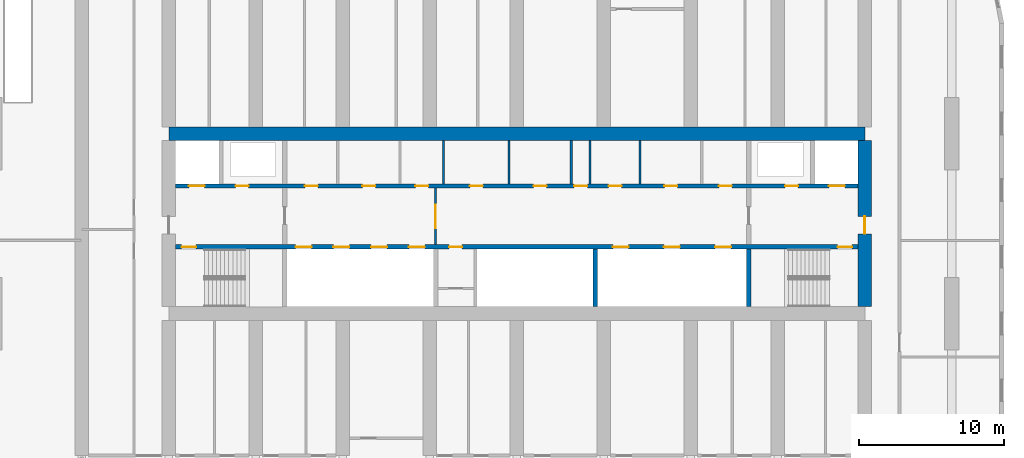
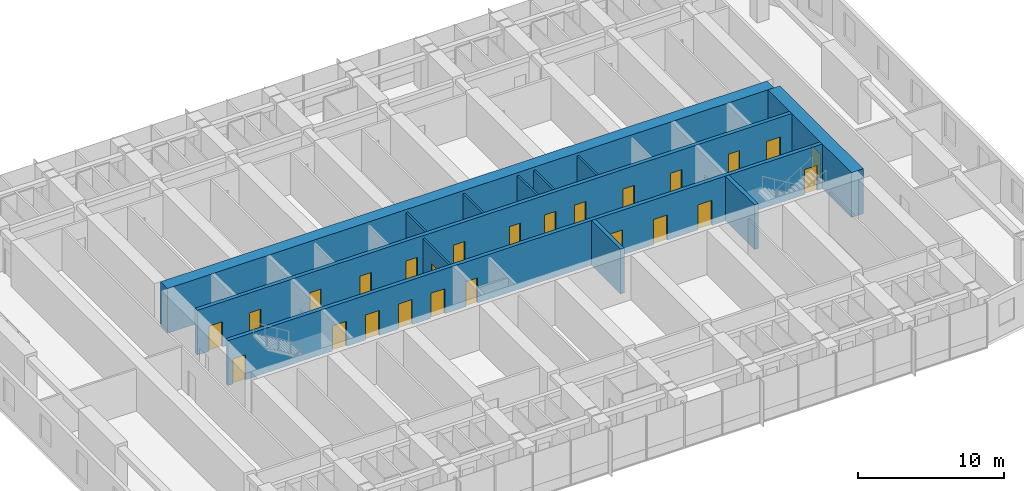
# One storey, part 12 of 22: 25 doors, 12 walls, 25 openings.
"""IFC4 building model written with IfcOpenShell, lengths in metres."""

from ifc_helpers import new_model, si_unit, direction, frame, frame_2d, origin, place, context, subcontext, project, spatial, rectangle, extrude, material, layer, layer_set, type_object, element, fill, save


model = new_model("IFC4")

# Units and contexts
model_context = context("Model", 3, precision=1e-05, world=origin(), true_north=direction((0.0, 1.0)))
body_context = subcontext(model_context, "Body", "Model", "MODEL_VIEW")
ifc_project = project(units=[si_unit("LENGTHUNIT", "METRE"), si_unit("AREAUNIT", "SQUARE_METRE"), si_unit("VOLUMEUNIT", "CUBIC_METRE"), si_unit("PLANEANGLEUNIT", "RADIAN"), si_unit("MASSUNIT", "GRAM", prefix="KILO")], contexts=[model_context])

# Site, building, storey
site_placement = place(None, origin())
site = spatial("IfcSite", under=ifc_project, at=site_placement, CompositionType="ELEMENT")
building_placement = place(site_placement, origin())
building = spatial("IfcBuilding", under=site, at=building_placement, Name="Orbita Commons", CompositionType="ELEMENT")
storey_placement = place(building_placement, frame((0.0, 0.0, 118.14990234375)))
storey = spatial("IfcBuildingStorey", under=building, at=storey_placement, Name="L29", CompositionType="ELEMENT", Elevation=118.14990234375)

# Wall, openings, doors
ifc_material_1 = material(Name="Concrete C50/60", Category="concrete")
ifc_layer_1 = layer(ifc_material_1, 0.300048828125)
ifc_layer_set_1 = layer_set([ifc_layer_1], Name="Concrete C50/60")
wall_type_1 = type_object("IfcWallType", Name="Core inner wall 300 C50/60", PredefinedType="SHEAR", material=ifc_layer_set_1)
wall_1_placement = place(storey_placement, frame((18.47509765625, 30.39990234375, 0.0), z_axis=(0.0, 0.0, 1.0), x_axis=(1.0, 0.0, 0.0)))
wall_1 = element("IfcWall", 1, at=wall_1_placement, inside=storey, type_object=wall_type_1, Name="Lobby wall south L29", PredefinedType="SHEAR", context=body_context, shape_type="SweptSolid", body=[
    extrude(rectangle(XDim=47.0498046875, YDim=0.300048828125, at=frame_2d((23.52490234375, 0.0))), origin(), (0.0, 0.0, 1.0), 3.75),
])
opening_1_placement = place(wall_1_placement, frame((0.39990234375, 0.0, 0.0)))
opening_1 = element("IfcOpeningElement", 2, at=opening_1_placement, cuts=wall_1, Name="Opening D02", PredefinedType="OPENING", context=body_context, shape_type="SweptSolid", body=[
    extrude(rectangle(XDim=1.0, YDim=2.10009765625, at=frame_2d((0.5, 1.050048828125))), frame((0.0, 0.159912109375, 0.0), z_axis=(0.0, -1.0, 0.0), x_axis=(1.0, 0.0, 0.0)), (0.0, 0.0, 1.0), 0.320068359375),
])
opening_2_placement = place(wall_1_placement, frame((45.64990234375, 0.0, 0.0)))
opening_2 = element("IfcOpeningElement", 3, at=opening_2_placement, cuts=wall_1, Name="Opening D02", PredefinedType="OPENING", context=body_context, shape_type="SweptSolid", body=[
    extrude(rectangle(XDim=1.0, YDim=2.10009765625, at=frame_2d((0.5, 1.050048828125))), frame((0.0, 0.159912109375, 0.0), z_axis=(0.0, -1.0, 0.0), x_axis=(1.0, 0.0, 0.0)), (0.0, 0.0, 1.0), 0.320068359375),
])
opening_3_placement = place(wall_1_placement, frame((8.27490234375, 0.0, 0.0)))
opening_3 = element("IfcOpeningElement", 4, at=opening_3_placement, cuts=wall_1, Name="Opening LD02", PredefinedType="OPENING", context=body_context, shape_type="SweptSolid", body=[
    extrude(rectangle(XDim=1.10009765625, YDim=2.10009765625, at=frame_2d((0.550048828125, 1.050048828125))), frame((0.0, 0.159912109375, 0.0), z_axis=(0.0, -1.0, 0.0), x_axis=(1.0, 0.0, 0.0)), (0.0, 0.0, 1.0), 0.320068359375),
])
opening_4_placement = place(wall_1_placement, frame((10.875, 0.0, 0.0)))
opening_4 = element("IfcOpeningElement", 5, at=opening_4_placement, cuts=wall_1, Name="Opening LD02", PredefinedType="OPENING", context=body_context, shape_type="SweptSolid", body=[
    extrude(rectangle(XDim=1.10009765625, YDim=2.10009765625, at=frame_2d((0.550048828125, 1.050048828125))), frame((0.0, 0.159912109375, 0.0), z_axis=(0.0, -1.0, 0.0), x_axis=(1.0, 0.0, 0.0)), (0.0, 0.0, 1.0), 0.320068359375),
])
opening_5_placement = place(wall_1_placement, frame((13.47509765625, 0.0, 0.0)))
opening_5 = element("IfcOpeningElement", 6, at=opening_5_placement, cuts=wall_1, Name="Opening LD02", PredefinedType="OPENING", context=body_context, shape_type="SweptSolid", body=[
    extrude(rectangle(XDim=1.10009765625, YDim=2.10009765625, at=frame_2d((0.550048828125, 1.050048828125))), frame((0.0, 0.159912109375, 0.0), z_axis=(0.0, -1.0, 0.0), x_axis=(1.0, 0.0, 0.0)), (0.0, 0.0, 1.0), 0.320068359375),
])
opening_6_placement = place(wall_1_placement, frame((16.074951171875, 0.0, 0.0)))
opening_6 = element("IfcOpeningElement", 7, at=opening_6_placement, cuts=wall_1, Name="Opening LD02", PredefinedType="OPENING", context=body_context, shape_type="SweptSolid", body=[
    extrude(rectangle(XDim=1.10009765625, YDim=2.10009765625, at=frame_2d((0.550048828125, 1.050048828125))), frame((0.0, 0.159912109375, 0.0), z_axis=(0.0, -1.0, 0.0), x_axis=(1.0, 0.0, 0.0)), (0.0, 0.0, 1.0), 0.320068359375),
])
opening_7_placement = place(wall_1_placement, frame((18.85009765625, 0.0, 0.0)))
opening_7 = element("IfcOpeningElement", 8, at=opening_7_placement, cuts=wall_1, Name="Opening D05", PredefinedType="OPENING", context=body_context, shape_type="SweptSolid", body=[
    extrude(rectangle(XDim=0.89990234375, YDim=2.10009765625, at=frame_2d((0.449951171875, 1.050048828125))), frame((0.0, 0.159912109375, 0.0), z_axis=(0.0, -1.0, 0.0), x_axis=(1.0, 0.0, 0.0)), (0.0, 0.0, 1.0), 0.320068359375),
])
opening_8_placement = place(wall_1_placement, frame((30.1416015625, 0.0, 0.0)))
opening_8 = element("IfcOpeningElement", 9, at=opening_8_placement, cuts=wall_1, Name="Opening LD02", PredefinedType="OPENING", context=body_context, shape_type="SweptSolid", body=[
    extrude(rectangle(XDim=1.10009765625, YDim=2.10009765625, at=frame_2d((0.550048828125, 1.050048828125))), frame((0.0, 0.159912109375, 0.0), z_axis=(0.0, -1.0, 0.0), x_axis=(1.0, 0.0, 0.0)), (0.0, 0.0, 1.0), 0.320068359375),
])
opening_9_placement = place(wall_1_placement, frame((33.675048828125, 0.0, 0.0)))
opening_9 = element("IfcOpeningElement", 10, at=opening_9_placement, cuts=wall_1, Name="Opening LD02", PredefinedType="OPENING", context=body_context, shape_type="SweptSolid", body=[
    extrude(rectangle(XDim=1.10009765625, YDim=2.10009765625, at=frame_2d((0.550048828125, 1.050048828125))), frame((0.0, 0.159912109375, 0.0), z_axis=(0.0, -1.0, 0.0), x_axis=(1.0, 0.0, 0.0)), (0.0, 0.0, 1.0), 0.320068359375),
])
opening_10_placement = place(wall_1_placement, frame((37.208251953125, 0.0, 0.0)))
opening_10 = element("IfcOpeningElement", 11, at=opening_10_placement, cuts=wall_1, Name="Opening LD02", PredefinedType="OPENING", context=body_context, shape_type="SweptSolid", body=[
    extrude(rectangle(XDim=1.10009765625, YDim=2.10009765625, at=frame_2d((0.550048828125, 1.050048828125))), frame((0.0, 0.159912109375, 0.0), z_axis=(0.0, -1.0, 0.0), x_axis=(1.0, 0.0, 0.0)), (0.0, 0.0, 1.0), 0.320068359375),
])
ifc_material_2 = material(Name="Steel-faced fire door leaf", Category="steel")
door_type_1 = type_object("IfcDoorType", Name="Fire door 90 min 1000x2100", OperationType="SINGLE_SWING_LEFT", PredefinedType="DOOR", material=ifc_material_2)
door_1_placement = place(opening_1_placement, origin())
door_1 = element("IfcDoor", 12, at=door_1_placement, inside=storey, type_object=door_type_1, Name="Stair S1 door", OperationType="SINGLE_SWING_LEFT", OverallHeight=2.10009765625, OverallWidth=1.0, PredefinedType="DOOR", context=body_context, shape_type="SweptSolid", body=[
    extrude(rectangle(XDim=1.0, YDim=2.10009765625, at=frame_2d((0.5, 1.050048828125))), frame((0.0, 0.02490234375, 0.0), z_axis=(0.0, -1.0, 0.0), x_axis=(1.0, 0.0, 0.0)), (0.0, 0.0, 1.0), 0.050048828125),
])
fill(opening_1, door_1)
door_2_placement = place(opening_2_placement, origin())
door_2 = element("IfcDoor", 13, at=door_2_placement, inside=storey, type_object=door_type_1, Name="Stair S2 door", OperationType="SINGLE_SWING_LEFT", OverallHeight=2.10009765625, OverallWidth=1.0, PredefinedType="DOOR", context=body_context, shape_type="SweptSolid", body=[
    extrude(rectangle(XDim=1.0, YDim=2.10009765625, at=frame_2d((0.5, 1.050048828125))), frame((0.0, 0.02490234375, 0.0), z_axis=(0.0, -1.0, 0.0), x_axis=(1.0, 0.0, 0.0)), (0.0, 0.0, 1.0), 0.050048828125),
])
fill(opening_2, door_2)
ifc_material_3 = material(Name="Steel-faced fire door leaf", Category="steel")
door_type_2 = type_object("IfcDoorType", Name="Lift landing door 1100x2100", OperationType="DOUBLE_DOOR_SLIDING", PredefinedType="DOOR", material=ifc_material_3)
door_3_placement = place(opening_3_placement, origin())
door_3 = element("IfcDoor", 14, at=door_3_placement, inside=storey, type_object=door_type_2, Name="Lift P21 landing door", OperationType="DOUBLE_DOOR_SLIDING", OverallHeight=2.10009765625, OverallWidth=1.10009765625, PredefinedType="DOOR", context=body_context, shape_type="SweptSolid", body=[
    extrude(rectangle(XDim=1.10009765625, YDim=2.10009765625, at=frame_2d((0.550048828125, 1.050048828125))), frame((0.0, 0.02490234375, 0.0), z_axis=(0.0, -1.0, 0.0), x_axis=(1.0, 0.0, 0.0)), (0.0, 0.0, 1.0), 0.050048828125),
])
fill(opening_3, door_3)
door_4_placement = place(opening_4_placement, origin())
door_4 = element("IfcDoor", 15, at=door_4_placement, inside=storey, type_object=door_type_2, Name="Lift P22 landing door", OperationType="DOUBLE_DOOR_SLIDING", OverallHeight=2.10009765625, OverallWidth=1.10009765625, PredefinedType="DOOR", context=body_context, shape_type="SweptSolid", body=[
    extrude(rectangle(XDim=1.10009765625, YDim=2.10009765625, at=frame_2d((0.550048828125, 1.050048828125))), frame((0.0, 0.02490234375, 0.0), z_axis=(0.0, -1.0, 0.0), x_axis=(1.0, 0.0, 0.0)), (0.0, 0.0, 1.0), 0.050048828125),
])
fill(opening_4, door_4)
door_5_placement = place(opening_5_placement, origin())
door_5 = element("IfcDoor", 16, at=door_5_placement, inside=storey, type_object=door_type_2, Name="Lift P23 landing door", OperationType="DOUBLE_DOOR_SLIDING", OverallHeight=2.10009765625, OverallWidth=1.10009765625, PredefinedType="DOOR", context=body_context, shape_type="SweptSolid", body=[
    extrude(rectangle(XDim=1.10009765625, YDim=2.10009765625, at=frame_2d((0.550048828125, 1.050048828125))), frame((0.0, 0.02490234375, 0.0), z_axis=(0.0, -1.0, 0.0), x_axis=(1.0, 0.0, 0.0)), (0.0, 0.0, 1.0), 0.050048828125),
])
fill(opening_5, door_5)
door_6_placement = place(opening_6_placement, origin())
door_6 = element("IfcDoor", 17, at=door_6_placement, inside=storey, type_object=door_type_2, Name="Lift P24 landing door", OperationType="DOUBLE_DOOR_SLIDING", OverallHeight=2.10009765625, OverallWidth=1.10009765625, PredefinedType="DOOR", context=body_context, shape_type="SweptSolid", body=[
    extrude(rectangle(XDim=1.10009765625, YDim=2.10009765625, at=frame_2d((0.550048828125, 1.050048828125))), frame((0.0, 0.02490234375, 0.0), z_axis=(0.0, -1.0, 0.0), x_axis=(1.0, 0.0, 0.0)), (0.0, 0.0, 1.0), 0.050048828125),
])
fill(opening_6, door_6)
door_7_placement = place(opening_8_placement, origin())
door_7 = element("IfcDoor", 18, at=door_7_placement, inside=storey, type_object=door_type_2, Name="Lift SV1 landing door", OperationType="DOUBLE_DOOR_SLIDING", OverallHeight=2.10009765625, OverallWidth=1.10009765625, PredefinedType="DOOR", context=body_context, shape_type="SweptSolid", body=[
    extrude(rectangle(XDim=1.10009765625, YDim=2.10009765625, at=frame_2d((0.550048828125, 1.050048828125))), frame((0.0, 0.02490234375, 0.0), z_axis=(0.0, -1.0, 0.0), x_axis=(1.0, 0.0, 0.0)), (0.0, 0.0, 1.0), 0.050048828125),
])
fill(opening_8, door_7)
door_8_placement = place(opening_9_placement, origin())
door_8 = element("IfcDoor", 19, at=door_8_placement, inside=storey, type_object=door_type_2, Name="Lift SV2 landing door", OperationType="DOUBLE_DOOR_SLIDING", OverallHeight=2.10009765625, OverallWidth=1.10009765625, PredefinedType="DOOR", context=body_context, shape_type="SweptSolid", body=[
    extrude(rectangle(XDim=1.10009765625, YDim=2.10009765625, at=frame_2d((0.550048828125, 1.050048828125))), frame((0.0, 0.02490234375, 0.0), z_axis=(0.0, -1.0, 0.0), x_axis=(1.0, 0.0, 0.0)), (0.0, 0.0, 1.0), 0.050048828125),
])
fill(opening_9, door_8)
door_9_placement = place(opening_10_placement, origin())
door_9 = element("IfcDoor", 20, at=door_9_placement, inside=storey, type_object=door_type_2, Name="Lift SV3 landing door", OperationType="DOUBLE_DOOR_SLIDING", OverallHeight=2.10009765625, OverallWidth=1.10009765625, PredefinedType="DOOR", context=body_context, shape_type="SweptSolid", body=[
    extrude(rectangle(XDim=1.10009765625, YDim=2.10009765625, at=frame_2d((0.550048828125, 1.050048828125))), frame((0.0, 0.02490234375, 0.0), z_axis=(0.0, -1.0, 0.0), x_axis=(1.0, 0.0, 0.0)), (0.0, 0.0, 1.0), 0.050048828125),
])
fill(opening_10, door_9)
ifc_material_4 = material(Name="Steel-faced fire door leaf", Category="steel")
door_type_3 = type_object("IfcDoorType", Name="Service door 20 min 900x2100", OperationType="SINGLE_SWING_LEFT", PredefinedType="DOOR", material=ifc_material_4)
door_10_placement = place(opening_7_placement, origin())
door_10 = element("IfcDoor", 21, at=door_10_placement, inside=storey, type_object=door_type_3, Name="Equipment store door", OperationType="SINGLE_SWING_LEFT", OverallHeight=2.10009765625, OverallWidth=0.89990234375, PredefinedType="DOOR", context=body_context, shape_type="SweptSolid", body=[
    extrude(rectangle(XDim=0.89990234375, YDim=2.10009765625, at=frame_2d((0.449951171875, 1.050048828125))), frame((0.0, 0.02490234375, 0.0), z_axis=(0.0, -1.0, 0.0), x_axis=(1.0, 0.0, 0.0)), (0.0, 0.0, 1.0), 0.050048828125),
])
fill(opening_7, door_10)

wall_2_placement = place(storey_placement, frame((18.47509765625, 34.60009765625, 0.0), z_axis=(0.0, 0.0, 1.0), x_axis=(1.0, 0.0, 0.0)))
wall_2 = element("IfcWall", 22, at=wall_2_placement, inside=storey, type_object=wall_type_1, Name="Lobby wall north L29", PredefinedType="SHEAR", context=body_context, shape_type="SweptSolid", body=[
    extrude(rectangle(XDim=47.0498046875, YDim=0.300048828125, at=frame_2d((23.52490234375, 0.0))), origin(), (0.0, 0.0, 1.0), 3.75),
])
opening_11_placement = place(wall_2_placement, frame((0.89990234375, 0.0, 0.0)))
opening_11 = element("IfcOpeningElement", 23, at=opening_11_placement, cuts=wall_2, Name="Opening LD01", PredefinedType="OPENING", context=body_context, shape_type="SweptSolid", body=[
    extrude(rectangle(XDim=1.10009765625, YDim=2.10009765625, at=frame_2d((0.550048828125, 1.050048828125))), frame((0.0, 0.159912109375, 0.0), z_axis=(0.0, -1.0, 0.0), x_axis=(1.0, 0.0, 0.0)), (0.0, 0.0, 1.0), 0.320068359375),
])
opening_12_placement = place(wall_2_placement, frame((45.050048828125, 0.0, 0.0)))
opening_12 = element("IfcOpeningElement", 24, at=opening_12_placement, cuts=wall_2, Name="Opening LD01", PredefinedType="OPENING", context=body_context, shape_type="SweptSolid", body=[
    extrude(rectangle(XDim=1.10009765625, YDim=2.10009765625, at=frame_2d((0.550048828125, 1.050048828125))), frame((0.0, 0.159912109375, 0.0), z_axis=(0.0, -1.0, 0.0), x_axis=(1.0, 0.0, 0.0)), (0.0, 0.0, 1.0), 0.320068359375),
])
opening_13_placement = place(wall_2_placement, frame((4.125, 0.0, 0.0)))
opening_13 = element("IfcOpeningElement", 25, at=opening_13_placement, cuts=wall_2, Name="Opening D03", PredefinedType="OPENING", context=body_context, shape_type="SweptSolid", body=[
    extrude(rectangle(XDim=0.89990234375, YDim=2.10009765625, at=frame_2d((0.449951171875, 1.050048828125))), frame((0.0, 0.159912109375, 0.0), z_axis=(0.0, -1.0, 0.0), x_axis=(1.0, 0.0, 0.0)), (0.0, 0.0, 1.0), 0.320068359375),
])
opening_14_placement = place(wall_2_placement, frame((42.02490234375, 0.0, 0.0)))
opening_14 = element("IfcOpeningElement", 26, at=opening_14_placement, cuts=wall_2, Name="Opening D03", PredefinedType="OPENING", context=body_context, shape_type="SweptSolid", body=[
    extrude(rectangle(XDim=0.89990234375, YDim=2.10009765625, at=frame_2d((0.449951171875, 1.050048828125))), frame((0.0, 0.159912109375, 0.0), z_axis=(0.0, -1.0, 0.0), x_axis=(1.0, 0.0, 0.0)), (0.0, 0.0, 1.0), 0.320068359375),
])
opening_15_placement = place(wall_2_placement, frame((8.900390625, 0.0, 0.0)))
opening_15 = element("IfcOpeningElement", 27, at=opening_15_placement, cuts=wall_2, Name="Opening D05", PredefinedType="OPENING", context=body_context, shape_type="SweptSolid", body=[
    extrude(rectangle(XDim=0.89990234375, YDim=2.10009765625, at=frame_2d((0.449951171875, 1.050048828125))), frame((0.0, 0.159912109375, 0.0), z_axis=(0.0, -1.0, 0.0), x_axis=(1.0, 0.0, 0.0)), (0.0, 0.0, 1.0), 0.320068359375),
])
opening_16_placement = place(wall_2_placement, frame((12.873779296875, 0.0, 0.0)))
opening_16 = element("IfcOpeningElement", 28, at=opening_16_placement, cuts=wall_2, Name="Opening D03", PredefinedType="OPENING", context=body_context, shape_type="SweptSolid", body=[
    extrude(rectangle(XDim=0.89990234375, YDim=2.10009765625, at=frame_2d((0.449951171875, 1.050048828125))), frame((0.0, 0.159912109375, 0.0), z_axis=(0.0, -1.0, 0.0), x_axis=(1.0, 0.0, 0.0)), (0.0, 0.0, 1.0), 0.320068359375),
])
opening_17_placement = place(wall_2_placement, frame((16.521240234375, 0.0, 0.0)))
opening_17 = element("IfcOpeningElement", 29, at=opening_17_placement, cuts=wall_2, Name="Opening D03", PredefinedType="OPENING", context=body_context, shape_type="SweptSolid", body=[
    extrude(rectangle(XDim=0.89990234375, YDim=2.10009765625, at=frame_2d((0.449951171875, 1.050048828125))), frame((0.0, 0.159912109375, 0.0), z_axis=(0.0, -1.0, 0.0), x_axis=(1.0, 0.0, 0.0)), (0.0, 0.0, 1.0), 0.320068359375),
])
opening_18_placement = place(wall_2_placement, frame((20.27978515625, 0.0, 0.0)))
opening_18 = element("IfcOpeningElement", 30, at=opening_18_placement, cuts=wall_2, Name="Opening D03", PredefinedType="OPENING", context=body_context, shape_type="SweptSolid", body=[
    extrude(rectangle(XDim=0.89990234375, YDim=2.10009765625, at=frame_2d((0.449951171875, 1.050048828125))), frame((0.0, 0.159912109375, 0.0), z_axis=(0.0, -1.0, 0.0), x_axis=(1.0, 0.0, 0.0)), (0.0, 0.0, 1.0), 0.320068359375),
])
opening_19_placement = place(wall_2_placement, frame((24.685791015625, 0.0, 0.0)))
opening_19 = element("IfcOpeningElement", 31, at=opening_19_placement, cuts=wall_2, Name="Opening D03", PredefinedType="OPENING", context=body_context, shape_type="SweptSolid", body=[
    extrude(rectangle(XDim=0.89990234375, YDim=2.10009765625, at=frame_2d((0.449951171875, 1.050048828125))), frame((0.0, 0.159912109375, 0.0), z_axis=(0.0, -1.0, 0.0), x_axis=(1.0, 0.0, 0.0)), (0.0, 0.0, 1.0), 0.320068359375),
])
opening_20_placement = place(wall_2_placement, frame((27.4833984375, 0.0, 0.0)))
opening_20 = element("IfcOpeningElement", 32, at=opening_20_placement, cuts=wall_2, Name="Opening D03", PredefinedType="OPENING", context=body_context, shape_type="SweptSolid", body=[
    extrude(rectangle(XDim=0.89990234375, YDim=2.10009765625, at=frame_2d((0.449951171875, 1.050048828125))), frame((0.0, 0.159912109375, 0.0), z_axis=(0.0, -1.0, 0.0), x_axis=(1.0, 0.0, 0.0)), (0.0, 0.0, 1.0), 0.320068359375),
])
opening_21_placement = place(wall_2_placement, frame((29.855712890625, 0.0, 0.0)))
opening_21 = element("IfcOpeningElement", 33, at=opening_21_placement, cuts=wall_2, Name="Opening D03", PredefinedType="OPENING", context=body_context, shape_type="SweptSolid", body=[
    extrude(rectangle(XDim=0.89990234375, YDim=2.10009765625, at=frame_2d((0.449951171875, 1.050048828125))), frame((0.0, 0.159912109375, 0.0), z_axis=(0.0, -1.0, 0.0), x_axis=(1.0, 0.0, 0.0)), (0.0, 0.0, 1.0), 0.320068359375),
])
opening_22_placement = place(wall_2_placement, frame((33.70556640625, 0.0, 0.0)))
opening_22 = element("IfcOpeningElement", 34, at=opening_22_placement, cuts=wall_2, Name="Opening D05", PredefinedType="OPENING", context=body_context, shape_type="SweptSolid", body=[
    extrude(rectangle(XDim=0.89990234375, YDim=2.10009765625, at=frame_2d((0.449951171875, 1.050048828125))), frame((0.0, 0.159912109375, 0.0), z_axis=(0.0, -1.0, 0.0), x_axis=(1.0, 0.0, 0.0)), (0.0, 0.0, 1.0), 0.320068359375),
])
opening_23_placement = place(wall_2_placement, frame((37.4541015625, 0.0, 0.0)))
opening_23 = element("IfcOpeningElement", 35, at=opening_23_placement, cuts=wall_2, Name="Opening D03", PredefinedType="OPENING", context=body_context, shape_type="SweptSolid", body=[
    extrude(rectangle(XDim=0.89990234375, YDim=2.10009765625, at=frame_2d((0.449951171875, 1.050048828125))), frame((0.0, 0.159912109375, 0.0), z_axis=(0.0, -1.0, 0.0), x_axis=(1.0, 0.0, 0.0)), (0.0, 0.0, 1.0), 0.320068359375),
])
ifc_material_5 = material(Name="Steel-faced fire door leaf", Category="steel")
door_type_4 = type_object("IfcDoorType", Name="Firefighting lift landing door 1100x2100", OperationType="DOUBLE_DOOR_SLIDING", PredefinedType="DOOR", material=ifc_material_5)
door_11_placement = place(opening_11_placement, origin())
door_11 = element("IfcDoor", 36, at=door_11_placement, inside=storey, type_object=door_type_4, Name="Firefighting lift FL1 landing door", OperationType="DOUBLE_DOOR_SLIDING", OverallHeight=2.10009765625, OverallWidth=1.10009765625, PredefinedType="DOOR", context=body_context, shape_type="SweptSolid", body=[
    extrude(rectangle(XDim=1.10009765625, YDim=2.10009765625, at=frame_2d((0.550048828125, 1.050048828125))), frame((0.0, 0.02490234375, 0.0), z_axis=(0.0, -1.0, 0.0), x_axis=(1.0, 0.0, 0.0)), (0.0, 0.0, 1.0), 0.050048828125),
])
fill(opening_11, door_11)
door_12_placement = place(opening_12_placement, origin())
door_12 = element("IfcDoor", 37, at=door_12_placement, inside=storey, type_object=door_type_4, Name="Firefighting lift FL2 landing door", OperationType="DOUBLE_DOOR_SLIDING", OverallHeight=2.10009765625, OverallWidth=1.10009765625, PredefinedType="DOOR", context=body_context, shape_type="SweptSolid", body=[
    extrude(rectangle(XDim=1.10009765625, YDim=2.10009765625, at=frame_2d((0.550048828125, 1.050048828125))), frame((0.0, 0.02490234375, 0.0), z_axis=(0.0, -1.0, 0.0), x_axis=(1.0, 0.0, 0.0)), (0.0, 0.0, 1.0), 0.050048828125),
])
fill(opening_12, door_12)
door_13_placement = place(opening_15_placement, origin())
door_13 = element("IfcDoor", 38, at=door_13_placement, inside=storey, type_object=door_type_3, Name="Accessible WC door", OperationType="SINGLE_SWING_LEFT", OverallHeight=2.10009765625, OverallWidth=0.89990234375, PredefinedType="DOOR", context=body_context, shape_type="SweptSolid", body=[
    extrude(rectangle(XDim=0.89990234375, YDim=2.10009765625, at=frame_2d((0.449951171875, 1.050048828125))), frame((0.0, 0.02490234375, 0.0), z_axis=(0.0, -1.0, 0.0), x_axis=(1.0, 0.0, 0.0)), (0.0, 0.0, 1.0), 0.050048828125),
])
fill(opening_15, door_13)
door_14_placement = place(opening_22_placement, origin())
door_14 = element("IfcDoor", 39, at=door_14_placement, inside=storey, type_object=door_type_3, Name="Guest pantry door", OperationType="SINGLE_SWING_LEFT", OverallHeight=2.10009765625, OverallWidth=0.89990234375, PredefinedType="DOOR", context=body_context, shape_type="SweptSolid", body=[
    extrude(rectangle(XDim=0.89990234375, YDim=2.10009765625, at=frame_2d((0.449951171875, 1.050048828125))), frame((0.0, 0.02490234375, 0.0), z_axis=(0.0, -1.0, 0.0), x_axis=(1.0, 0.0, 0.0)), (0.0, 0.0, 1.0), 0.050048828125),
])
fill(opening_22, door_14)
ifc_material_6 = material(Name="Steel-faced fire door leaf", Category="steel")
door_type_5 = type_object("IfcDoorType", Name="Shaft access door 90 min 900x2100", OperationType="SINGLE_SWING_LEFT", PredefinedType="DOOR", material=ifc_material_6)
door_15_placement = place(opening_13_placement, origin())
door_15 = element("IfcDoor", 40, at=door_15_placement, inside=storey, type_object=door_type_5, Name="Riser door west", OperationType="SINGLE_SWING_LEFT", OverallHeight=2.10009765625, OverallWidth=0.89990234375, PredefinedType="DOOR", context=body_context, shape_type="SweptSolid", body=[
    extrude(rectangle(XDim=0.89990234375, YDim=2.10009765625, at=frame_2d((0.449951171875, 1.050048828125))), frame((0.0, 0.02490234375, 0.0), z_axis=(0.0, -1.0, 0.0), x_axis=(1.0, 0.0, 0.0)), (0.0, 0.0, 1.0), 0.050048828125),
])
fill(opening_13, door_15)
door_16_placement = place(opening_14_placement, origin())
door_16 = element("IfcDoor", 41, at=door_16_placement, inside=storey, type_object=door_type_5, Name="Riser door east", OperationType="SINGLE_SWING_LEFT", OverallHeight=2.10009765625, OverallWidth=0.89990234375, PredefinedType="DOOR", context=body_context, shape_type="SweptSolid", body=[
    extrude(rectangle(XDim=0.89990234375, YDim=2.10009765625, at=frame_2d((0.449951171875, 1.050048828125))), frame((0.0, 0.02490234375, 0.0), z_axis=(0.0, -1.0, 0.0), x_axis=(1.0, 0.0, 0.0)), (0.0, 0.0, 1.0), 0.050048828125),
])
fill(opening_14, door_16)
door_17_placement = place(opening_16_placement, origin())
door_17 = element("IfcDoor", 42, at=door_17_placement, inside=storey, type_object=door_type_5, Name="Refuse chute room door", OperationType="SINGLE_SWING_LEFT", OverallHeight=2.10009765625, OverallWidth=0.89990234375, PredefinedType="DOOR", context=body_context, shape_type="SweptSolid", body=[
    extrude(rectangle(XDim=0.89990234375, YDim=2.10009765625, at=frame_2d((0.449951171875, 1.050048828125))), frame((0.0, 0.02490234375, 0.0), z_axis=(0.0, -1.0, 0.0), x_axis=(1.0, 0.0, 0.0)), (0.0, 0.0, 1.0), 0.050048828125),
])
fill(opening_16, door_17)
door_18_placement = place(opening_17_placement, origin())
door_18 = element("IfcDoor", 43, at=door_18_placement, inside=storey, type_object=door_type_5, Name="Electrical riser room door", OperationType="SINGLE_SWING_LEFT", OverallHeight=2.10009765625, OverallWidth=0.89990234375, PredefinedType="DOOR", context=body_context, shape_type="SweptSolid", body=[
    extrude(rectangle(XDim=0.89990234375, YDim=2.10009765625, at=frame_2d((0.449951171875, 1.050048828125))), frame((0.0, 0.02490234375, 0.0), z_axis=(0.0, -1.0, 0.0), x_axis=(1.0, 0.0, 0.0)), (0.0, 0.0, 1.0), 0.050048828125),
])
fill(opening_17, door_18)
door_19_placement = place(opening_18_placement, origin())
door_19 = element("IfcDoor", 44, at=door_19_placement, inside=storey, type_object=door_type_5, Name="Storage room door", OperationType="SINGLE_SWING_LEFT", OverallHeight=2.10009765625, OverallWidth=0.89990234375, PredefinedType="DOOR", context=body_context, shape_type="SweptSolid", body=[
    extrude(rectangle(XDim=0.89990234375, YDim=2.10009765625, at=frame_2d((0.449951171875, 1.050048828125))), frame((0.0, 0.02490234375, 0.0), z_axis=(0.0, -1.0, 0.0), x_axis=(1.0, 0.0, 0.0)), (0.0, 0.0, 1.0), 0.050048828125),
])
fill(opening_18, door_19)
door_20_placement = place(opening_19_placement, origin())
door_20 = element("IfcDoor", 45, at=door_20_placement, inside=storey, type_object=door_type_5, Name="Communications room door", OperationType="SINGLE_SWING_LEFT", OverallHeight=2.10009765625, OverallWidth=0.89990234375, PredefinedType="DOOR", context=body_context, shape_type="SweptSolid", body=[
    extrude(rectangle(XDim=0.89990234375, YDim=2.10009765625, at=frame_2d((0.449951171875, 1.050048828125))), frame((0.0, 0.02490234375, 0.0), z_axis=(0.0, -1.0, 0.0), x_axis=(1.0, 0.0, 0.0)), (0.0, 0.0, 1.0), 0.050048828125),
])
fill(opening_19, door_20)
door_21_placement = place(opening_20_placement, origin())
door_21 = element("IfcDoor", 46, at=door_21_placement, inside=storey, type_object=door_type_5, Name="Stair pressurisation duct door", OperationType="SINGLE_SWING_LEFT", OverallHeight=2.10009765625, OverallWidth=0.89990234375, PredefinedType="DOOR", context=body_context, shape_type="SweptSolid", body=[
    extrude(rectangle(XDim=0.89990234375, YDim=2.10009765625, at=frame_2d((0.449951171875, 1.050048828125))), frame((0.0, 0.02490234375, 0.0), z_axis=(0.0, -1.0, 0.0), x_axis=(1.0, 0.0, 0.0)), (0.0, 0.0, 1.0), 0.050048828125),
])
fill(opening_20, door_21)
door_22_placement = place(opening_21_placement, origin())
door_22 = element("IfcDoor", 47, at=door_22_placement, inside=storey, type_object=door_type_5, Name="IT room door", OperationType="SINGLE_SWING_LEFT", OverallHeight=2.10009765625, OverallWidth=0.89990234375, PredefinedType="DOOR", context=body_context, shape_type="SweptSolid", body=[
    extrude(rectangle(XDim=0.89990234375, YDim=2.10009765625, at=frame_2d((0.449951171875, 1.050048828125))), frame((0.0, 0.02490234375, 0.0), z_axis=(0.0, -1.0, 0.0), x_axis=(1.0, 0.0, 0.0)), (0.0, 0.0, 1.0), 0.050048828125),
])
fill(opening_21, door_22)
door_23_placement = place(opening_23_placement, origin())
door_23 = element("IfcDoor", 48, at=door_23_placement, inside=storey, type_object=door_type_5, Name="Cleaners store door", OperationType="SINGLE_SWING_LEFT", OverallHeight=2.10009765625, OverallWidth=0.89990234375, PredefinedType="DOOR", context=body_context, shape_type="SweptSolid", body=[
    extrude(rectangle(XDim=0.89990234375, YDim=2.10009765625, at=frame_2d((0.449951171875, 1.050048828125))), frame((0.0, 0.02490234375, 0.0), z_axis=(0.0, -1.0, 0.0), x_axis=(1.0, 0.0, 0.0)), (0.0, 0.0, 1.0), 0.050048828125),
])
fill(opening_23, door_23)

# Walls
for number, where, z_axis, x_axis, name in (
    (49, (58.0, 26.27490234375, 0.0), (0.0, 0.0, 1.0), (0.0, 1.0, 0.0), "Stair S2 wall L29"),
    (50, (47.39990234375, 26.27490234375, 0.0), (0.0, 0.0, 1.0), (0.0, 1.0, 0.0), "Hoistway division wall L29"),
):
    element("IfcWall", number, at=place(storey_placement, frame(where, z_axis=z_axis, x_axis=x_axis)), inside=storey, type_object=wall_type_1, Name=name, PredefinedType="SHEAR", context=body_context, shape_type="SweptSolid", body=[
        extrude(rectangle(XDim=3.97509765625, YDim=0.300048828125, at=frame_2d((1.987548828125, 0.0))), origin(), (0.0, 0.0, 1.0), 3.75),
    ])

# Wall, opening, door
ifc_material_7 = material(Name="Concrete blockwork", Category="masonry")
ifc_layer_2 = layer(ifc_material_7, 0.14990234375)
ifc_layer_set_2 = layer_set([ifc_layer_2], Name="Concrete blockwork")
wall_type_2 = type_object("IfcWallType", Name="Core partition 150 blockwork", PredefinedType="SOLIDWALL", material=ifc_layer_set_2)
wall_3_placement = place(storey_placement, frame((36.39990234375, 30.550048828125, 0.0), z_axis=(0.0, 0.0, 1.0), x_axis=(0.0, 1.0, 0.0)))
wall_3 = element("IfcWall", 51, at=wall_3_placement, inside=storey, type_object=wall_type_2, Name="Core partition 150 blockwork L29", PredefinedType="SOLIDWALL", context=body_context, shape_type="SweptSolid", body=[
    extrude(rectangle(XDim=3.89990234375, YDim=0.14990234375, at=frame_2d((1.949951171875, 0.0))), origin(), (0.0, 0.0, 1.0), 3.5),
])
opening_24_placement = place(wall_3_placement, frame((1.14990234375, 0.0, 0.0)))
opening_24 = element("IfcOpeningElement", 52, at=opening_24_placement, cuts=wall_3, Name="Opening D10", PredefinedType="OPENING", context=body_context, shape_type="SweptSolid", body=[
    extrude(rectangle(XDim=1.60009765625, YDim=2.10009765625, at=frame_2d((0.800048828125, 1.050048828125))), frame((0.0, 0.0849609375, 0.0), z_axis=(0.0, -1.0, 0.0), x_axis=(1.0, 0.0, 0.0)), (0.0, 0.0, 1.0), 0.169921875),
])
ifc_material_8 = material(Name="Steel-faced fire door leaf", Category="steel")
door_type_6 = type_object("IfcDoorType", Name="Double corridor door 20 min 1600x2100", OperationType="DOUBLE_DOOR_SINGLE_SWING", PredefinedType="DOOR", material=ifc_material_8)
door_24_placement = place(opening_24_placement, origin())
door_24 = element("IfcDoor", 53, at=door_24_placement, inside=storey, type_object=door_type_6, Name="Lift lobby screen doors", OperationType="DOUBLE_DOOR_SINGLE_SWING", OverallHeight=2.10009765625, OverallWidth=1.60009765625, PredefinedType="DOOR", context=body_context, shape_type="SweptSolid", body=[
    extrude(rectangle(XDim=1.60009765625, YDim=2.10009765625, at=frame_2d((0.800048828125, 1.050048828125))), frame((0.0, 0.02490234375, 0.0), z_axis=(0.0, -1.0, 0.0), x_axis=(1.0, 0.0, 0.0)), (0.0, 0.0, 1.0), 0.050048828125),
])
fill(opening_24, door_24)

# Walls
for number, where, z_axis, x_axis, name in (
    (54, (36.9462890625, 34.75, 0.0), (0.0, 0.0, 1.0), (0.0, 1.0, 0.0), "Core partition 150 blockwork L29"),
    (55, (41.463134765625, 34.75, 0.0), (0.0, 0.0, 1.0), (0.0, 1.0, 0.0), "Core partition 150 blockwork L29"),
    (56, (45.75830078125, 34.75, 0.0), (0.0, 0.0, 1.0), (0.0, 1.0, 0.0), "Core partition 150 blockwork L29"),
    (57, (47.058349609375, 34.75, 0.0), (0.0, 0.0, 1.0), (0.0, 1.0, 0.0), "Core partition 150 blockwork L29"),
    (58, (50.5029296875, 34.75, 0.0), (0.0, 0.0, 1.0), (0.0, 1.0, 0.0), "Core partition 150 blockwork L29"),
):
    element("IfcWall", number, at=place(storey_placement, frame(where, z_axis=z_axis, x_axis=x_axis)), inside=storey, type_object=wall_type_2, Name=name, PredefinedType="SOLIDWALL", context=body_context, shape_type="SweptSolid", body=[
        extrude(rectangle(XDim=2.97509765625, YDim=0.14990234375, at=frame_2d((1.487548828125, 0.0))), origin(), (0.0, 0.0, 1.0), 3.5),
    ])
ifc_material_9 = material(Name="Concrete C50/60", Category="concrete")
ifc_layer_3 = layer(ifc_material_9, 0.949951171875)
ifc_layer_set_3 = layer_set([ifc_layer_3], Name="Concrete C50/60")
wall_type_3 = type_object("IfcWallType", Name="Core wall 950 C50/60", PredefinedType="SHEAR", material=ifc_layer_set_3)
wall_4_placement = place(storey_placement, frame((18.0, 38.199951171875, 0.0), z_axis=(0.0, 0.0, 1.0), x_axis=(1.0, 0.0, 0.0)))
element("IfcWall", 59, at=wall_4_placement, inside=storey, type_object=wall_type_3, Name="Core spine wall north L29", PredefinedType="SHEAR", context=body_context, shape_type="SweptSolid", body=[
    extrude(rectangle(XDim=48.0, YDim=0.949951171875, at=frame_2d((24.0, 0.0))), origin(), (0.0, 0.0, 1.0), 3.75),
])

# Wall, opening, door
wall_5_placement = place(storey_placement, frame((66.0, 26.27490234375, 0.0), z_axis=(0.0, 0.0, 1.0), x_axis=(0.0, 1.0, 0.0)))
wall_5 = element("IfcWall", 60, at=wall_5_placement, inside=storey, type_object=wall_type_3, Name="Core end wall east L29", PredefinedType="SHEAR", context=body_context, shape_type="SweptSolid", body=[
    extrude(rectangle(XDim=11.4501953125, YDim=0.949951171875, at=frame_2d((5.72509765625, 0.0))), origin(), (0.0, 0.0, 1.0), 3.75),
])
opening_25_placement = place(wall_5_placement, frame((5.02490234375, 0.0, 0.0)))
opening_25 = element("IfcOpeningElement", 61, at=opening_25_placement, cuts=wall_5, Name="Opening D01", PredefinedType="OPENING", context=body_context, shape_type="SweptSolid", body=[
    extrude(rectangle(XDim=1.199951171875, YDim=2.10009765625, at=frame_2d((0.60009765625, 1.050048828125))), frame((0.0, 0.48486328125, 0.0), z_axis=(0.0, -1.0, 0.0), x_axis=(1.0, 0.0, 0.0)), (0.0, 0.0, 1.0), 0.969970703125),
])
ifc_material_10 = material(Name="Steel-faced fire door leaf", Category="steel")
door_type_7 = type_object("IfcDoorType", Name="Fire door 90 min 1200x2100", OperationType="SINGLE_SWING_LEFT", PredefinedType="DOOR", material=ifc_material_10)
door_25_placement = place(opening_25_placement, origin())
door_25 = element("IfcDoor", 62, at=door_25_placement, inside=storey, type_object=door_type_7, Name="Firefighting lobby east door", OperationType="SINGLE_SWING_LEFT", OverallHeight=2.10009765625, OverallWidth=1.199951171875, PredefinedType="DOOR", context=body_context, shape_type="SweptSolid", body=[
    extrude(rectangle(XDim=1.199951171875, YDim=2.10009765625, at=frame_2d((0.60009765625, 1.050048828125))), frame((0.0, 0.02490234375, 0.0), z_axis=(0.0, -1.0, 0.0), x_axis=(1.0, 0.0, 0.0)), (0.0, 0.0, 1.0), 0.050048828125),
])
fill(opening_25, door_25)

save(model, "model.ifc")
